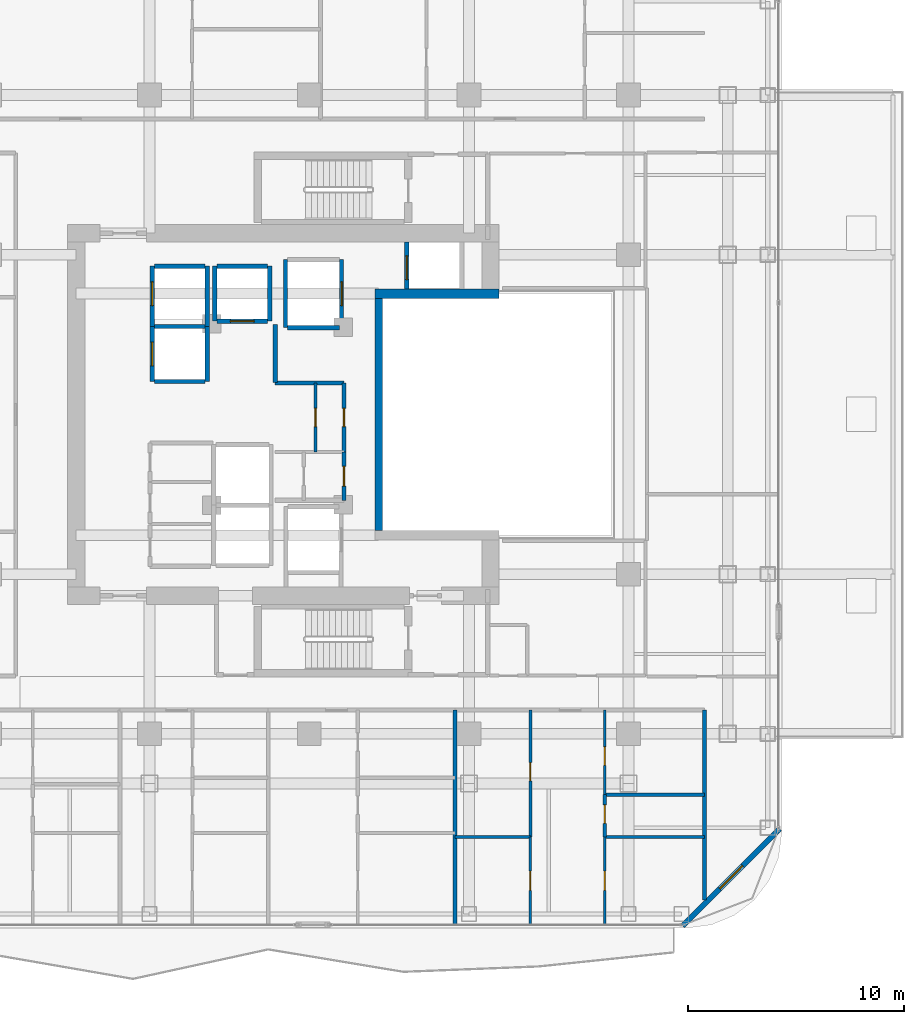
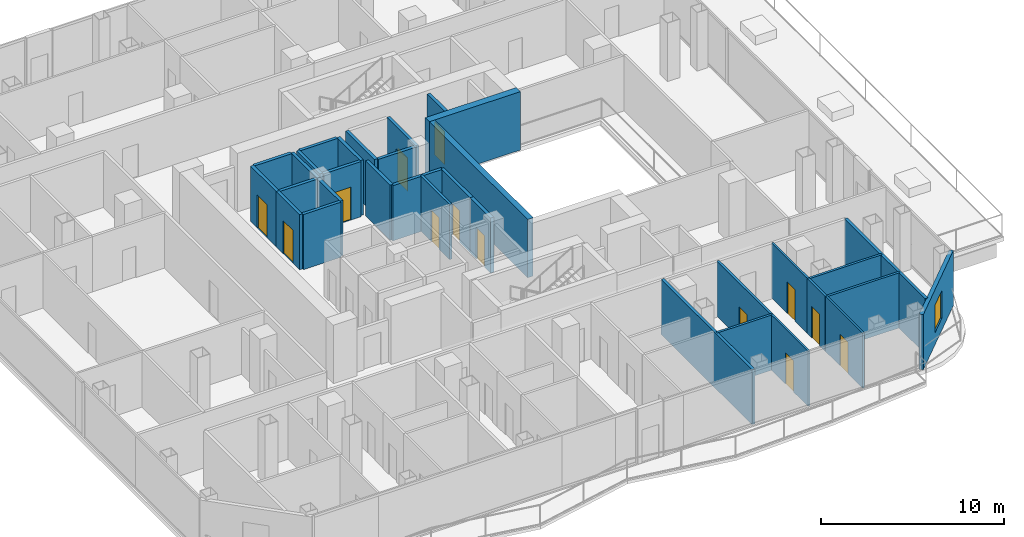
# One storey, part 21 of 27: 33 walls, 13 doors, 1 window, 14 openings.
"""IFC4 building model written with IfcOpenShell, lengths in metres."""

from ifc_helpers import new_model, si_unit, direction, frame, frame_2d, origin, place, context, subcontext, project, spatial, rectangle, extrude, material, layer, layer_set, type_object, element, fill, save


model = new_model("IFC4")

# Units and contexts
model_context = context("Model", 3, precision=1e-05, world=origin(), true_north=direction((0.0, 1.0)))
body_context = subcontext(model_context, "Body", "Model", "MODEL_VIEW")
ifc_project = project(units=[si_unit("LENGTHUNIT", "METRE"), si_unit("AREAUNIT", "SQUARE_METRE"), si_unit("VOLUMEUNIT", "CUBIC_METRE"), si_unit("PLANEANGLEUNIT", "RADIAN"), si_unit("MASSUNIT", "GRAM", prefix="KILO")], contexts=[model_context])

# Site, building, storey
site_placement = place(None, origin())
site = spatial("IfcSite", under=ifc_project, at=site_placement, CompositionType="ELEMENT")
building_placement = place(site_placement, origin())
building = spatial("IfcBuilding", under=site, at=building_placement, Name="Khorvyn Point Tower", CompositionType="ELEMENT")
storey_placement = place(building_placement, frame((0.0, 0.0, 168.0)))
storey = spatial("IfcBuildingStorey", under=building, at=storey_placement, Name="L41", CompositionType="ELEMENT", Elevation=168.0)

# Walls
ifc_material_1 = material(Name="Double acoustic gypsum on twin steel stud", Category="steel")
ifc_layer_1 = layer(ifc_material_1, 0.179931640625)
ifc_layer_set_1 = layer_set([ifc_layer_1], Name="Acoustic Double-Stud Apartment Demising Wall 180")
wall_type_1 = type_object("IfcWallType", Name="Acoustic Double-Stud Apartment Demising Wall 180", PredefinedType="PARTITIONING", material=ifc_layer_set_1)
wall_1_placement = place(storey_placement, frame((18.320068359375, -22.510009765625, 0.0), z_axis=(0.0, 0.0, 1.0), x_axis=(0.0, 1.0, 0.0)))
element("IfcWall", 1, at=wall_1_placement, inside=storey, type_object=wall_type_1, Name="Wall", PredefinedType="PARTITIONING", context=body_context, shape_type="SweptSolid", body=[
    extrude(rectangle(XDim=8.81005859375, YDim=0.179931640625, at=frame_2d((4.405029296875, 0.0))), origin(), (0.0, 0.0, 1.0), 3.679931640625),
])
wall_2_placement = place(storey_placement, frame((6.75390625, -23.6298828125, 0.0), z_axis=(0.0, 0.0, 1.0), x_axis=(0.0, 1.0, 0.0)))
element("IfcWall", 2, at=wall_2_placement, inside=storey, type_object=wall_type_1, Name="Wall", PredefinedType="PARTITIONING", context=body_context, shape_type="SweptSolid", body=[
    extrude(rectangle(XDim=9.929931640625, YDim=0.179931640625, at=frame_2d((4.96484375, 0.0))), origin(), (0.0, 0.0, 1.0), 3.679931640625),
])

# Wall, opening, window
ifc_material_2 = material(Name="Pale anodised aluminium rainscreen on steel stud", Category="steel")
ifc_layer_2 = layer(ifc_material_2, 0.239990234375)
ifc_layer_set_2 = layer_set([ifc_layer_2], Name="Anodised Aluminium Insulated Corner Spandrel Wall 240")
wall_type_2 = type_object("IfcWallType", Name="Anodised Aluminium Insulated Corner Spandrel Wall 240", PredefinedType="SOLIDWALL", material=ifc_layer_set_2)
wall_3_placement = place(storey_placement, frame((21.79248046875, -19.20751953125, 0.0), z_axis=(0.0, 0.0, 1.0), x_axis=(-0.707106781187, -0.707106781187, 0.0)))
wall_3 = element("IfcWall", 3, at=wall_3_placement, inside=storey, type_object=wall_type_2, Name="L41 Rounded Corner Wall SE", PredefinedType="SOLIDWALL", context=body_context, shape_type="SweptSolid", body=[
    extrude(rectangle(XDim=6.342529296875, YDim=0.239990234375, at=frame_2d((3.17138671875, 0.0))), origin(), (0.0, 0.0, 1.0), 3.679931640625),
])
opening_1_placement = place(wall_3_placement, frame((2.42138671875, 0.0, 0.800048828125)))
opening_1 = element("IfcOpeningElement", 4, at=opening_1_placement, cuts=wall_3, Name="Opening WN-1518", PredefinedType="OPENING", context=body_context, shape_type="SweptSolid", body=[
    extrude(rectangle(XDim=1.5, YDim=1.85009765625, at=frame_2d((0.75, 0.925048828125))), frame((0.0, 0.1298828125, 0.0), z_axis=(0.0, -1.0, 0.0), x_axis=(1.0, 0.0, 0.0)), (0.0, 0.0, 1.0), 0.260009765625),
])
ifc_material_3 = material(Name="Anodised aluminium 6063-T6 and laminated Low-E glass", Category="aluminium")
window_type = type_object("IfcWindowType", Name="Anodised Aluminium Rounded-Corner Panoramic Window 1500x1850", PartitioningType="SINGLE_PANEL", PredefinedType="WINDOW", material=ifc_material_3)
window_placement = place(opening_1_placement, origin())
window = element("IfcWindow", 5, at=window_placement, inside=storey, type_object=window_type, Name="L41 Corner Panoramic Window SE", OverallHeight=1.85009765625, OverallWidth=1.5, PartitioningType="SINGLE_PANEL", PredefinedType="WINDOW", context=body_context, shape_type="SweptSolid", body=[
    extrude(rectangle(XDim=1.5, YDim=1.85009765625, at=frame_2d((0.75, 0.925048828125))), frame((0.0, 0.030029296875, 0.0), z_axis=(0.0, -1.0, 0.0), x_axis=(1.0, 0.0, 0.0)), (0.0, 0.0, 1.0), 0.06005859375),
])
fill(opening_1, window)

# Wall
ifc_material_4 = material(Name="Concrete C40/50", Category="concrete")
ifc_layer_3 = layer(ifc_material_4, 0.449951171875)
ifc_layer_set_3 = layer_set([ifc_layer_3], Name="Concrete C40/50 Core Shear Wall 450")
wall_type_3 = type_object("IfcWallType", Name="Concrete C40/50 Core Shear Wall 450", PredefinedType="SHEAR", material=ifc_layer_set_3)
wall_4_placement = place(storey_placement, frame((3.044921875, 5.60009765625, 0.0), z_axis=(0.0, 0.0, 1.0), x_axis=(1.0, 0.0, 0.0)))
element("IfcWall", 6, at=wall_4_placement, inside=storey, type_object=wall_type_3, Name="Wall", PredefinedType="SHEAR", context=body_context, shape_type="SweptSolid", body=[
    extrude(rectangle(XDim=5.755126953125, YDim=0.449951171875, at=frame_2d((2.87744140625, 0.0))), origin(), (0.0, 0.0, 1.0), 3.89990234375),
])

# Wall, opening, door
ifc_layer_4 = layer(ifc_material_4, 0.199951171875)
ifc_layer_set_4 = layer_set([ifc_layer_4], Name="Concrete C40/50 Fire-Lobby Compartment Wall 200")
wall_type_4 = type_object("IfcWallType", Name="Concrete C40/50 Fire-Lobby Compartment Wall 200", PredefinedType="SOLIDWALL", material=ifc_layer_set_4)
wall_5_placement = place(storey_placement, frame((1.610107421875, -3.97998046875, 0.0), z_axis=(0.0, 0.0, 1.0), x_axis=(0.0, 1.0, 0.0)))
wall_5 = element("IfcWall", 7, at=wall_5_placement, inside=storey, type_object=wall_type_4, Name="Wall", PredefinedType="SOLIDWALL", context=body_context, shape_type="SweptSolid", body=[
    extrude(rectangle(XDim=2.240966796875, YDim=0.199951171875, at=frame_2d((1.12060546875, 0.0))), origin(), (0.0, 0.0, 1.0), 3.679931640625),
])
opening_2_placement = place(wall_5_placement, frame((0.660400390625, 0.0, 0.0)))
opening_2 = element("IfcOpeningElement", 8, at=opening_2_placement, cuts=wall_5, Name="Opening ID-RS60", PredefinedType="OPENING", context=body_context, shape_type="SweptSolid", body=[
    extrude(rectangle(XDim=0.919921875, YDim=2.10009765625, at=frame_2d((0.4599609375, 1.050048828125))), frame((0.0, 0.10986328125, 0.0), z_axis=(0.0, -1.0, 0.0), x_axis=(1.0, 0.0, 0.0)), (0.0, 0.0, 1.0), 0.219970703125),
])
ifc_material_5 = material(Name="Galvanised powder-coated steel", Category="steel")
door_type_1 = type_object("IfcDoorType", Name="Fire-Rated Riser and Store Steel Door 920x2100", OperationType="NOTDEFINED", PredefinedType="DOOR", material=ifc_material_5)
door_1_placement = place(opening_2_placement, origin())
door_1 = element("IfcDoor", 9, at=door_1_placement, inside=storey, type_object=door_type_1, Name="Door", OperationType="SINGLE_SWING_LEFT", OverallHeight=2.10009765625, OverallWidth=0.919921875, PredefinedType="DOOR", context=body_context, shape_type="SweptSolid", body=[
    extrude(rectangle(XDim=0.919921875, YDim=2.10009765625, at=frame_2d((0.4599609375, 1.050048828125))), frame((0.0, 0.02490234375, 0.0), z_axis=(0.0, -1.0, 0.0), x_axis=(1.0, 0.0, 0.0)), (0.0, 0.0, 1.0), 0.050048828125),
])
fill(opening_2, door_1)

wall_6_placement = place(storey_placement, frame((1.610107421875, -1.739013671875, 0.0), z_axis=(0.0, 0.0, 1.0), x_axis=(0.0, 1.0, 0.0)))
wall_6 = element("IfcWall", 10, at=wall_6_placement, inside=storey, type_object=wall_type_4, Name="Wall", PredefinedType="SOLIDWALL", context=body_context, shape_type="SweptSolid", body=[
    extrude(rectangle(XDim=3.198974609375, YDim=0.199951171875, at=frame_2d((1.599609375, 0.0))), origin(), (0.0, 0.0, 1.0), 3.679931640625),
])
opening_3_placement = place(wall_6_placement, frame((1.174560546875, 0.0, 0.0)))
opening_3 = element("IfcOpeningElement", 11, at=opening_3_placement, cuts=wall_6, Name="Opening ID-WC85", PredefinedType="OPENING", context=body_context, shape_type="SweptSolid", body=[
    extrude(rectangle(XDim=0.85009765625, YDim=2.10009765625, at=frame_2d((0.425048828125, 1.050048828125))), frame((0.0, 0.10986328125, 0.0), z_axis=(0.0, -1.0, 0.0), x_axis=(1.0, 0.0, 0.0)), (0.0, 0.0, 1.0), 0.219970703125),
])
ifc_material_6 = material(Name="High-pressure laminate on moisture-resistant core", Category="wood")
door_type_2 = type_object("IfcDoorType", Name="Moisture-Resistant Accessible Washroom Door 850x2100", OperationType="NOTDEFINED", PredefinedType="DOOR", material=ifc_material_6)
door_2_placement = place(opening_3_placement, origin())
door_2 = element("IfcDoor", 12, at=door_2_placement, inside=storey, type_object=door_type_2, Name="Door", OperationType="SINGLE_SWING_RIGHT", OverallHeight=2.10009765625, OverallWidth=0.85009765625, PredefinedType="DOOR", context=body_context, shape_type="SweptSolid", body=[
    extrude(rectangle(XDim=0.85009765625, YDim=2.10009765625, at=frame_2d((0.425048828125, 1.050048828125))), frame((0.0, 0.02490234375, 0.0), z_axis=(0.0, -1.0, 0.0), x_axis=(1.0, 0.0, 0.0)), (0.0, 0.0, 1.0), 0.050048828125),
])
fill(opening_3, door_2)

# Walls
wall_7_placement = place(storey_placement, frame((-1.580078125, 1.47998046875, 0.0), z_axis=(0.0, 0.0, 1.0), x_axis=(0.0, 1.0, 0.0)))
element("IfcWall", 13, at=wall_7_placement, inside=storey, type_object=wall_type_4, Name="Wall", PredefinedType="SOLIDWALL", context=body_context, shape_type="SweptSolid", body=[
    extrude(rectangle(XDim=2.699951171875, YDim=0.199951171875, at=frame_2d((1.35009765625, 0.0))), origin(), (0.0, 0.0, 1.0), 3.679931640625),
])
wall_8_placement = place(storey_placement, frame((-1.580078125, 1.4599609375, 0.0), z_axis=(0.0, 0.0, 1.0), x_axis=(1.0, 0.0, 0.0)))
element("IfcWall", 14, at=wall_8_placement, inside=storey, type_object=wall_type_4, Name="Wall", PredefinedType="SOLIDWALL", context=body_context, shape_type="SweptSolid", body=[
    extrude(rectangle(XDim=3.190185546875, YDim=0.199951171875, at=frame_2d((1.59521484375, 0.0))), origin(), (0.0, 0.0, 1.0), 3.679931640625),
])
ifc_layer_5 = layer(ifc_material_4, 0.35009765625)
ifc_layer_set_5 = layer_set([ifc_layer_5], Name="Concrete C40/50 Stair Shaft Structural Wall 350")
wall_type_5 = type_object("IfcWallType", Name="Concrete C40/50 Stair Shaft Structural Wall 350", PredefinedType="SHEAR", material=ifc_layer_set_5)
wall_9_placement = place(storey_placement, frame((3.219970703125, -5.375, 0.0), z_axis=(0.0, 0.0, 1.0), x_axis=(0.0, 1.0, 0.0)))
element("IfcWall", 15, at=wall_9_placement, inside=storey, type_object=wall_type_5, Name="Wall", PredefinedType="SHEAR", context=body_context, shape_type="SweptSolid", body=[
    extrude(rectangle(XDim=10.75, YDim=0.35009765625, at=frame_2d((5.375, 0.0))), origin(), (0.0, 0.0, 1.0), 3.89990234375),
])

# Wall, opening, door
ifc_layer_6 = layer(ifc_material_4, 0.199951171875)
ifc_layer_set_6 = layer_set([ifc_layer_6], Name="Concrete C40/50 Structural Hoistway and Stair Shaft Wall 200")
wall_type_6 = type_object("IfcWallType", Name="Concrete C40/50 Structural Hoistway and Stair Shaft Wall 200", PredefinedType="SHEAR", material=ifc_layer_set_6)
wall_10_placement = place(storey_placement, frame((-7.27490234375, 1.52490234375, 0.0), z_axis=(0.0, 0.0, 1.0), x_axis=(0.0, 1.0, 0.0)))
wall_10 = element("IfcWall", 16, at=wall_10_placement, inside=storey, type_object=wall_type_6, Name="Wall", PredefinedType="SHEAR", context=body_context, shape_type="SweptSolid", body=[
    extrude(rectangle(XDim=2.550048828125, YDim=0.199951171875, at=frame_2d((1.27490234375, 0.0))), origin(), (0.0, 0.0, 1.0), 3.679931640625),
])
opening_4_placement = place(wall_10_placement, frame((0.72509765625, 0.0, 0.0)))
opening_4 = element("IfcOpeningElement", 17, at=opening_4_placement, cuts=wall_10, Name="Opening LD-1122", PredefinedType="OPENING", context=body_context, shape_type="SweptSolid", body=[
    extrude(rectangle(XDim=1.10009765625, YDim=2.199951171875, at=frame_2d((0.550048828125, 1.10009765625))), frame((0.0, 0.10986328125, 0.0), z_axis=(0.0, -1.0, 0.0), x_axis=(1.0, 0.0, 0.0)), (0.0, 0.0, 1.0), 0.219970703125),
])
ifc_material_7 = material(Name="Stainless steel 1.4301", Category="steel")
door_type_3 = type_object("IfcDoorType", Name="Stainless Steel Automatic Sliding Lift Landing Door 1100x2200", OperationType="SLIDING_TO_LEFT", PredefinedType="DOOR", material=ifc_material_7)
door_3_placement = place(opening_4_placement, origin())
door_3 = element("IfcDoor", 18, at=door_3_placement, inside=storey, type_object=door_type_3, Name="L41 RM-01 Sliding Lift Landing Door", OperationType="SLIDING_TO_LEFT", OverallHeight=2.199951171875, OverallWidth=1.10009765625, PredefinedType="DOOR", context=body_context, shape_type="SweptSolid", body=[
    extrude(rectangle(XDim=1.10009765625, YDim=2.199951171875, at=frame_2d((0.550048828125, 1.10009765625))), frame((0.0, 0.02490234375, 0.0), z_axis=(0.0, -1.0, 0.0), x_axis=(1.0, 0.0, 0.0)), (0.0, 0.0, 1.0), 0.050048828125),
])
fill(opening_4, door_3)

# Walls
wall_11_placement = place(storey_placement, frame((-4.72509765625, 1.52490234375, 0.0), z_axis=(0.0, 0.0, 1.0), x_axis=(0.0, 1.0, 0.0)))
element("IfcWall", 19, at=wall_11_placement, inside=storey, type_object=wall_type_6, Name="Wall", PredefinedType="SHEAR", context=body_context, shape_type="SweptSolid", body=[
    extrude(rectangle(XDim=2.550048828125, YDim=0.199951171875, at=frame_2d((1.27490234375, 0.0))), origin(), (0.0, 0.0, 1.0), 3.679931640625),
])
for number, where, z_axis, x_axis, name in (
    (20, (-7.175048828125, 1.52490234375, 0.0), (0.0, 0.0, 1.0), (1.0, 0.0, 0.0), "Wall"),
    (21, (-7.175048828125, 4.074951171875, 0.0), (0.0, 0.0, 1.0), (1.0, 0.0, 0.0), "Wall"),
):
    element("IfcWall", number, at=place(storey_placement, frame(where, z_axis=z_axis, x_axis=x_axis)), inside=storey, type_object=wall_type_6, Name=name, PredefinedType="SHEAR", context=body_context, shape_type="SweptSolid", body=[
        extrude(rectangle(XDim=2.35009765625, YDim=0.199951171875, at=frame_2d((1.175048828125, 0.0))), origin(), (0.0, 0.0, 1.0), 3.679931640625),
    ])

# Wall, opening, door
wall_12_placement = place(storey_placement, frame((-7.27490234375, 4.074951171875, 0.0), z_axis=(0.0, 0.0, 1.0), x_axis=(0.0, 1.0, 0.0)))
wall_12 = element("IfcWall", 22, at=wall_12_placement, inside=storey, type_object=wall_type_6, Name="Wall", PredefinedType="SHEAR", context=body_context, shape_type="SweptSolid", body=[
    extrude(rectangle(XDim=2.800048828125, YDim=0.199951171875, at=frame_2d((1.39990234375, 0.0))), origin(), (0.0, 0.0, 1.0), 3.679931640625),
])
opening_5_placement = place(wall_12_placement, frame((0.97509765625, 0.0, 0.0)))
opening_5 = element("IfcOpeningElement", 23, at=opening_5_placement, cuts=wall_12, Name="Opening LD-1122", PredefinedType="OPENING", context=body_context, shape_type="SweptSolid", body=[
    extrude(rectangle(XDim=1.10009765625, YDim=2.199951171875, at=frame_2d((0.550048828125, 1.10009765625))), frame((0.0, 0.10986328125, 0.0), z_axis=(0.0, -1.0, 0.0), x_axis=(1.0, 0.0, 0.0)), (0.0, 0.0, 1.0), 0.219970703125),
])
door_4_placement = place(opening_5_placement, origin())
door_4 = element("IfcDoor", 24, at=door_4_placement, inside=storey, type_object=door_type_3, Name="L41 RM-02 Sliding Lift Landing Door", OperationType="SLIDING_TO_LEFT", OverallHeight=2.199951171875, OverallWidth=1.10009765625, PredefinedType="DOOR", context=body_context, shape_type="SweptSolid", body=[
    extrude(rectangle(XDim=1.10009765625, YDim=2.199951171875, at=frame_2d((0.550048828125, 1.10009765625))), frame((0.0, 0.02490234375, 0.0), z_axis=(0.0, -1.0, 0.0), x_axis=(1.0, 0.0, 0.0)), (0.0, 0.0, 1.0), 0.050048828125),
])
fill(opening_5, door_4)

# Walls
wall_13_placement = place(storey_placement, frame((-4.72509765625, 4.074951171875, 0.0), z_axis=(0.0, 0.0, 1.0), x_axis=(0.0, 1.0, 0.0)))
element("IfcWall", 25, at=wall_13_placement, inside=storey, type_object=wall_type_6, Name="Wall", PredefinedType="SHEAR", context=body_context, shape_type="SweptSolid", body=[
    extrude(rectangle(XDim=2.800048828125, YDim=0.199951171875, at=frame_2d((1.39990234375, 0.0))), origin(), (0.0, 0.0, 1.0), 3.679931640625),
])
wall_14_placement = place(storey_placement, frame((-7.175048828125, 6.875, 0.0), z_axis=(0.0, 0.0, 1.0), x_axis=(1.0, 0.0, 0.0)))
element("IfcWall", 26, at=wall_14_placement, inside=storey, type_object=wall_type_6, Name="Wall", PredefinedType="SHEAR", context=body_context, shape_type="SweptSolid", body=[
    extrude(rectangle(XDim=2.35009765625, YDim=0.199951171875, at=frame_2d((1.175048828125, 0.0))), origin(), (0.0, 0.0, 1.0), 3.679931640625),
])
for number, where, z_axis, x_axis, name in (
    (27, (-4.375, 4.324951171875, 0.0), (0.0, 0.0, 1.0), (0.0, 1.0, 0.0), "Wall"),
    (28, (-1.824951171875, 4.324951171875, 0.0), (0.0, 0.0, 1.0), (0.0, 1.0, 0.0), "Wall"),
):
    element("IfcWall", number, at=place(storey_placement, frame(where, z_axis=z_axis, x_axis=x_axis)), inside=storey, type_object=wall_type_6, Name=name, PredefinedType="SHEAR", context=body_context, shape_type="SweptSolid", body=[
        extrude(rectangle(XDim=2.550048828125, YDim=0.199951171875, at=frame_2d((1.27490234375, 0.0))), origin(), (0.0, 0.0, 1.0), 3.679931640625),
    ])

# Wall, opening, door
wall_15_placement = place(storey_placement, frame((-4.27490234375, 4.324951171875, 0.0), z_axis=(0.0, 0.0, 1.0), x_axis=(1.0, 0.0, 0.0)))
wall_15 = element("IfcWall", 29, at=wall_15_placement, inside=storey, type_object=wall_type_6, Name="Wall", PredefinedType="SHEAR", context=body_context, shape_type="SweptSolid", body=[
    extrude(rectangle(XDim=2.349853515625, YDim=0.199951171875, at=frame_2d((1.1748046875, 0.0))), origin(), (0.0, 0.0, 1.0), 3.679931640625),
])
opening_6_placement = place(wall_15_placement, frame((0.625, 0.0, 0.0)))
opening_6 = element("IfcOpeningElement", 30, at=opening_6_placement, cuts=wall_15, Name="Opening LD-1122", PredefinedType="OPENING", context=body_context, shape_type="SweptSolid", body=[
    extrude(rectangle(XDim=1.10009765625, YDim=2.199951171875, at=frame_2d((0.550048828125, 1.10009765625))), frame((0.0, 0.10986328125, 0.0), z_axis=(0.0, -1.0, 0.0), x_axis=(1.0, 0.0, 0.0)), (0.0, 0.0, 1.0), 0.219970703125),
])
door_5_placement = place(opening_6_placement, origin())
door_5 = element("IfcDoor", 31, at=door_5_placement, inside=storey, type_object=door_type_3, Name="L41 RM-03 Sliding Lift Landing Door", OperationType="SLIDING_TO_LEFT", OverallHeight=2.199951171875, OverallWidth=1.10009765625, PredefinedType="DOOR", context=body_context, shape_type="SweptSolid", body=[
    extrude(rectangle(XDim=1.10009765625, YDim=2.199951171875, at=frame_2d((0.550048828125, 1.10009765625))), frame((0.0, 0.02490234375, 0.0), z_axis=(0.0, -1.0, 0.0), x_axis=(1.0, 0.0, 0.0)), (0.0, 0.0, 1.0), 0.050048828125),
])
fill(opening_6, door_5)

# Walls
wall_16_placement = place(storey_placement, frame((-4.27490234375, 6.875, 0.0), z_axis=(0.0, 0.0, 1.0), x_axis=(1.0, 0.0, 0.0)))
element("IfcWall", 32, at=wall_16_placement, inside=storey, type_object=wall_type_6, Name="Wall", PredefinedType="SHEAR", context=body_context, shape_type="SweptSolid", body=[
    extrude(rectangle(XDim=2.349853515625, YDim=0.199951171875, at=frame_2d((1.1748046875, 0.0))), origin(), (0.0, 0.0, 1.0), 3.679931640625),
])
wall_17_placement = place(storey_placement, frame((-1.10009765625, 4.02490234375, 0.0), z_axis=(0.0, 0.0, 1.0), x_axis=(0.0, 1.0, 0.0)))
element("IfcWall", 33, at=wall_17_placement, inside=storey, type_object=wall_type_6, Name="Wall", PredefinedType="SHEAR", context=body_context, shape_type="SweptSolid", body=[
    extrude(rectangle(XDim=3.150146484375, YDim=0.199951171875, at=frame_2d((1.5751953125, 0.0))), origin(), (0.0, 0.0, 1.0), 3.679931640625),
])

# Wall, opening, door
wall_18_placement = place(storey_placement, frame((1.5, 4.02490234375, 0.0), z_axis=(0.0, 0.0, 1.0), x_axis=(0.0, 1.0, 0.0)))
wall_18 = element("IfcWall", 34, at=wall_18_placement, inside=storey, type_object=wall_type_6, Name="Wall", PredefinedType="SHEAR", context=body_context, shape_type="SweptSolid", body=[
    extrude(rectangle(XDim=3.150146484375, YDim=0.199951171875, at=frame_2d((1.5751953125, 0.0))), origin(), (0.0, 0.0, 1.0), 3.679931640625),
])
opening_7_placement = place(wall_18_placement, frame((1.02490234375, 0.0, 0.0)))
opening_7 = element("IfcOpeningElement", 35, at=opening_7_placement, cuts=wall_18, Name="Opening LD-1122", PredefinedType="OPENING", context=body_context, shape_type="SweptSolid", body=[
    extrude(rectangle(XDim=1.10009765625, YDim=2.199951171875, at=frame_2d((0.550048828125, 1.10009765625))), frame((0.0, 0.10986328125, 0.0), z_axis=(0.0, -1.0, 0.0), x_axis=(1.0, 0.0, 0.0)), (0.0, 0.0, 1.0), 0.219970703125),
])
door_6_placement = place(opening_7_placement, origin())
door_6 = element("IfcDoor", 36, at=door_6_placement, inside=storey, type_object=door_type_3, Name="L41 SV-01 Sliding Lift Landing Door", OperationType="SLIDING_TO_LEFT", OverallHeight=2.199951171875, OverallWidth=1.10009765625, PredefinedType="DOOR", context=body_context, shape_type="SweptSolid", body=[
    extrude(rectangle(XDim=1.10009765625, YDim=2.199951171875, at=frame_2d((0.550048828125, 1.10009765625))), frame((0.0, 0.02490234375, 0.0), z_axis=(0.0, -1.0, 0.0), x_axis=(1.0, 0.0, 0.0)), (0.0, 0.0, 1.0), 0.050048828125),
])
fill(opening_7, door_6)

# Wall
wall_19_placement = place(storey_placement, frame((-1.0, 4.02490234375, 0.0), z_axis=(0.0, 0.0, 1.0), x_axis=(1.0, 0.0, 0.0)))
element("IfcWall", 37, at=wall_19_placement, inside=storey, type_object=wall_type_6, Name="Wall", PredefinedType="SHEAR", context=body_context, shape_type="SweptSolid", body=[
    extrude(rectangle(XDim=2.39990234375, YDim=0.199951171875, at=frame_2d((1.199951171875, 0.0))), origin(), (0.0, 0.0, 1.0), 3.679931640625),
])

# Wall, opening, door
wall_20_placement = place(storey_placement, frame((4.52490234375, 5.824951171875, 0.0), z_axis=(0.0, 0.0, 1.0), x_axis=(0.0, 1.0, 0.0)))
wall_20 = element("IfcWall", 38, at=wall_20_placement, inside=storey, type_object=wall_type_6, Name="Wall", PredefinedType="SHEAR", context=body_context, shape_type="SweptSolid", body=[
    extrude(rectangle(XDim=2.175048828125, YDim=0.199951171875, at=frame_2d((1.08740234375, 0.0))), origin(), (0.0, 0.0, 1.0), 3.679931640625),
])
opening_8_placement = place(wall_20_placement, frame((0.425048828125, 0.0, 0.0)))
opening_8 = element("IfcOpeningElement", 39, at=opening_8_placement, cuts=wall_20, Name="Opening LD-1122", PredefinedType="OPENING", context=body_context, shape_type="SweptSolid", body=[
    extrude(rectangle(XDim=1.10009765625, YDim=2.199951171875, at=frame_2d((0.550048828125, 1.10009765625))), frame((0.0, 0.10986328125, 0.0), z_axis=(0.0, -1.0, 0.0), x_axis=(1.0, 0.0, 0.0)), (0.0, 0.0, 1.0), 0.219970703125),
])
door_7_placement = place(opening_8_placement, origin())
door_7 = element("IfcDoor", 40, at=door_7_placement, inside=storey, type_object=door_type_3, Name="L41 FF-02 Sliding Lift Landing Door", OperationType="SLIDING_TO_LEFT", OverallHeight=2.199951171875, OverallWidth=1.10009765625, PredefinedType="DOOR", context=body_context, shape_type="SweptSolid", body=[
    extrude(rectangle(XDim=1.10009765625, YDim=2.199951171875, at=frame_2d((0.550048828125, 1.10009765625))), frame((0.0, 0.02490234375, 0.0), z_axis=(0.0, -1.0, 0.0), x_axis=(1.0, 0.0, 0.0)), (0.0, 0.0, 1.0), 0.050048828125),
])
fill(opening_8, door_7)

ifc_material_8 = material(Name="Gypsum plasterboard on steel stud", Category="steel")
ifc_layer_7 = layer(ifc_material_8, 0.1201171875)
ifc_layer_set_7 = layer_set([ifc_layer_7], Name="Gypsum Acoustic Stud Room Partition Wall 120")
wall_type_7 = type_object("IfcWallType", Name="Gypsum Acoustic Stud Room Partition Wall 120", PredefinedType="PARTITIONING", material=ifc_layer_set_7)
wall_21_placement = place(storey_placement, frame((10.25, -23.6298828125, 0.0), z_axis=(0.0, 0.0, 1.0), x_axis=(0.0, 1.0, 0.0)))
wall_21 = element("IfcWall", 41, at=wall_21_placement, inside=storey, type_object=wall_type_7, Name="Wall", PredefinedType="PARTITIONING", context=body_context, shape_type="SweptSolid", body=[
    extrude(rectangle(XDim=4.0458984375, YDim=0.1201171875, at=frame_2d((2.02294921875, 0.0))), origin(), (0.0, 0.0, 1.0), 3.679931640625),
])
opening_9_placement = place(wall_21_placement, frame((1.572998046875, 0.0, 0.0)))
opening_9 = element("IfcOpeningElement", 42, at=opening_9_placement, cuts=wall_21, Name="Opening ID-RM90", PredefinedType="OPENING", context=body_context, shape_type="SweptSolid", body=[
    extrude(rectangle(XDim=0.89990234375, YDim=2.10009765625, at=frame_2d((0.449951171875, 1.050048828125))), frame((0.0, 0.070068359375, 0.0), z_axis=(0.0, -1.0, 0.0), x_axis=(1.0, 0.0, 0.0)), (0.0, 0.0, 1.0), 0.14013671875),
])
ifc_material_9 = material(Name="Engineered oak veneer timber", Category="wood")
door_type_4 = type_object("IfcDoorType", Name="Flush Engineered Timber Room Door 900x2100", OperationType="NOTDEFINED", PredefinedType="DOOR", material=ifc_material_9)
door_8_placement = place(opening_9_placement, origin())
door_8 = element("IfcDoor", 43, at=door_8_placement, inside=storey, type_object=door_type_4, Name="Door", OperationType="SINGLE_SWING_RIGHT", OverallHeight=2.10009765625, OverallWidth=0.89990234375, PredefinedType="DOOR", context=body_context, shape_type="SweptSolid", body=[
    extrude(rectangle(XDim=0.89990234375, YDim=2.10009765625, at=frame_2d((0.449951171875, 1.050048828125))), frame((0.0, 0.02490234375, 0.0), z_axis=(0.0, -1.0, 0.0), x_axis=(1.0, 0.0, 0.0)), (0.0, 0.0, 1.0), 0.050048828125),
])
fill(opening_9, door_8)

wall_22_placement = place(storey_placement, frame((13.694091796875, -17.618896484375, 0.0), z_axis=(0.0, 0.0, 1.0), x_axis=(0.0, 1.0, 0.0)))
wall_22 = element("IfcWall", 44, at=wall_22_placement, inside=storey, type_object=wall_type_7, Name="Wall", PredefinedType="PARTITIONING", context=body_context, shape_type="SweptSolid", body=[
    extrude(rectangle(XDim=3.9189453125, YDim=0.1201171875, at=frame_2d((1.95947265625, 0.0))), origin(), (0.0, 0.0, 1.0), 3.679931640625),
])
opening_10_placement = place(wall_22_placement, frame((1.36279296875, 0.0, 0.0)))
opening_10 = element("IfcOpeningElement", 45, at=opening_10_placement, cuts=wall_22, Name="Opening ID-WC85", PredefinedType="OPENING", context=body_context, shape_type="SweptSolid", body=[
    extrude(rectangle(XDim=0.85009765625, YDim=2.10009765625, at=frame_2d((0.425048828125, 1.050048828125))), frame((0.0, 0.070068359375, 0.0), z_axis=(0.0, -1.0, 0.0), x_axis=(1.0, 0.0, 0.0)), (0.0, 0.0, 1.0), 0.14013671875),
])
door_9_placement = place(opening_10_placement, origin())
door_9 = element("IfcDoor", 46, at=door_9_placement, inside=storey, type_object=door_type_2, Name="Door", OperationType="SINGLE_SWING_RIGHT", OverallHeight=2.10009765625, OverallWidth=0.85009765625, PredefinedType="DOOR", context=body_context, shape_type="SweptSolid", body=[
    extrude(rectangle(XDim=0.85009765625, YDim=2.10009765625, at=frame_2d((0.425048828125, 1.050048828125))), frame((0.0, 0.02490234375, 0.0), z_axis=(0.0, -1.0, 0.0), x_axis=(1.0, 0.0, 0.0)), (0.0, 0.0, 1.0), 0.050048828125),
])
fill(opening_10, door_9)

wall_23_placement = place(storey_placement, frame((13.694091796875, -23.6298828125, 0.0), z_axis=(0.0, 0.0, 1.0), x_axis=(0.0, 1.0, 0.0)))
wall_23 = element("IfcWall", 47, at=wall_23_placement, inside=storey, type_object=wall_type_7, Name="Wall", PredefinedType="PARTITIONING", context=body_context, shape_type="SweptSolid", body=[
    extrude(rectangle(XDim=4.0458984375, YDim=0.1201171875, at=frame_2d((2.02294921875, 0.0))), origin(), (0.0, 0.0, 1.0), 3.679931640625),
])
opening_11_placement = place(wall_23_placement, frame((1.572998046875, 0.0, 0.0)))
opening_11 = element("IfcOpeningElement", 48, at=opening_11_placement, cuts=wall_23, Name="Opening ID-RM90", PredefinedType="OPENING", context=body_context, shape_type="SweptSolid", body=[
    extrude(rectangle(XDim=0.89990234375, YDim=2.10009765625, at=frame_2d((0.449951171875, 1.050048828125))), frame((0.0, 0.070068359375, 0.0), z_axis=(0.0, -1.0, 0.0), x_axis=(1.0, 0.0, 0.0)), (0.0, 0.0, 1.0), 0.14013671875),
])
door_10_placement = place(opening_11_placement, origin())
door_10 = element("IfcDoor", 49, at=door_10_placement, inside=storey, type_object=door_type_4, Name="Door", OperationType="SINGLE_SWING_LEFT", OverallHeight=2.10009765625, OverallWidth=0.89990234375, PredefinedType="DOOR", context=body_context, shape_type="SweptSolid", body=[
    extrude(rectangle(XDim=0.89990234375, YDim=2.10009765625, at=frame_2d((0.449951171875, 1.050048828125))), frame((0.0, 0.02490234375, 0.0), z_axis=(0.0, -1.0, 0.0), x_axis=(1.0, 0.0, 0.0)), (0.0, 0.0, 1.0), 0.050048828125),
])
fill(opening_11, door_10)

ifc_material_10 = material(Name="Moisture-resistant gypsum and cement board", Category="gypsum")
ifc_layer_8 = layer(ifc_material_10, 0.14990234375)
ifc_layer_set_8 = layer_set([ifc_layer_8], Name="Moisture-Resistant Wet-Room Partition Wall 150")
wall_type_8 = type_object("IfcWallType", Name="Moisture-Resistant Wet-Room Partition Wall 150", PredefinedType="PARTITIONING", material=ifc_layer_set_8)
wall_24_placement = place(storey_placement, frame((0.2900390625, -1.739013671875, 0.0), z_axis=(0.0, 0.0, 1.0), x_axis=(0.0, 1.0, 0.0)))
wall_24 = element("IfcWall", 50, at=wall_24_placement, inside=storey, type_object=wall_type_8, Name="Wall", PredefinedType="PARTITIONING", context=body_context, shape_type="SweptSolid", body=[
    extrude(rectangle(XDim=3.198974609375, YDim=0.14990234375, at=frame_2d((1.599609375, 0.0))), origin(), (0.0, 0.0, 1.0), 3.679931640625),
])
opening_12_placement = place(wall_24_placement, frame((1.174560546875, 0.0, 0.0)))
opening_12 = element("IfcOpeningElement", 51, at=opening_12_placement, cuts=wall_24, Name="Opening ID-WC85", PredefinedType="OPENING", context=body_context, shape_type="SweptSolid", body=[
    extrude(rectangle(XDim=0.85009765625, YDim=2.10009765625, at=frame_2d((0.425048828125, 1.050048828125))), frame((0.0, 0.0849609375, 0.0), z_axis=(0.0, -1.0, 0.0), x_axis=(1.0, 0.0, 0.0)), (0.0, 0.0, 1.0), 0.169921875),
])
door_11_placement = place(opening_12_placement, origin())
door_11 = element("IfcDoor", 52, at=door_11_placement, inside=storey, type_object=door_type_2, Name="Door", OperationType="SINGLE_SWING_RIGHT", OverallHeight=2.10009765625, OverallWidth=0.85009765625, PredefinedType="DOOR", context=body_context, shape_type="SweptSolid", body=[
    extrude(rectangle(XDim=0.85009765625, YDim=2.10009765625, at=frame_2d((0.425048828125, 1.050048828125))), frame((0.0, 0.02490234375, 0.0), z_axis=(0.0, -1.0, 0.0), x_axis=(1.0, 0.0, 0.0)), (0.0, 0.0, 1.0), 0.050048828125),
])
fill(opening_12, door_11)

wall_25_placement = place(storey_placement, frame((10.25, -19.583984375, 0.0), z_axis=(0.0, 0.0, 1.0), x_axis=(0.0, 1.0, 0.0)))
wall_25 = element("IfcWall", 53, at=wall_25_placement, inside=storey, type_object=wall_type_8, Name="Wall", PredefinedType="PARTITIONING", context=body_context, shape_type="SweptSolid", body=[
    extrude(rectangle(XDim=5.884033203125, YDim=0.14990234375, at=frame_2d((2.94189453125, 0.0))), origin(), (0.0, 0.0, 1.0), 3.679931640625),
])
opening_13_placement = place(wall_25_placement, frame((2.604248046875, 0.0, 0.0)))
opening_13 = element("IfcOpeningElement", 54, at=opening_13_placement, cuts=wall_25, Name="Opening ID-WC85", PredefinedType="OPENING", context=body_context, shape_type="SweptSolid", body=[
    extrude(rectangle(XDim=0.85009765625, YDim=2.10009765625, at=frame_2d((0.425048828125, 1.050048828125))), frame((0.0, 0.0849609375, 0.0), z_axis=(0.0, -1.0, 0.0), x_axis=(1.0, 0.0, 0.0)), (0.0, 0.0, 1.0), 0.169921875),
])
door_12_placement = place(opening_13_placement, origin())
door_12 = element("IfcDoor", 55, at=door_12_placement, inside=storey, type_object=door_type_2, Name="Door", OperationType="SINGLE_SWING_LEFT", OverallHeight=2.10009765625, OverallWidth=0.85009765625, PredefinedType="DOOR", context=body_context, shape_type="SweptSolid", body=[
    extrude(rectangle(XDim=0.85009765625, YDim=2.10009765625, at=frame_2d((0.425048828125, 1.050048828125))), frame((0.0, 0.02490234375, 0.0), z_axis=(0.0, -1.0, 0.0), x_axis=(1.0, 0.0, 0.0)), (0.0, 0.0, 1.0), 0.050048828125),
])
fill(opening_13, door_12)

wall_26_placement = place(storey_placement, frame((13.694091796875, -19.583984375, 0.0), z_axis=(0.0, 0.0, 1.0), x_axis=(0.0, 1.0, 0.0)))
wall_26 = element("IfcWall", 56, at=wall_26_placement, inside=storey, type_object=wall_type_8, Name="Wall", PredefinedType="PARTITIONING", context=body_context, shape_type="SweptSolid", body=[
    extrude(rectangle(XDim=1.965087890625, YDim=0.14990234375, at=frame_2d((0.982421875, 0.0))), origin(), (0.0, 0.0, 1.0), 3.679931640625),
])
opening_14_placement = place(wall_26_placement, frame((0.636962890625, 0.0, 0.0)))
opening_14 = element("IfcOpeningElement", 57, at=opening_14_placement, cuts=wall_26, Name="Opening ID-WC85", PredefinedType="OPENING", context=body_context, shape_type="SweptSolid", body=[
    extrude(rectangle(XDim=0.85009765625, YDim=2.10009765625, at=frame_2d((0.425048828125, 1.050048828125))), frame((0.0, 0.0849609375, 0.0), z_axis=(0.0, -1.0, 0.0), x_axis=(1.0, 0.0, 0.0)), (0.0, 0.0, 1.0), 0.169921875),
])
door_13_placement = place(opening_14_placement, origin())
door_13 = element("IfcDoor", 58, at=door_13_placement, inside=storey, type_object=door_type_2, Name="Door", OperationType="SINGLE_SWING_LEFT", OverallHeight=2.10009765625, OverallWidth=0.85009765625, PredefinedType="DOOR", context=body_context, shape_type="SweptSolid", body=[
    extrude(rectangle(XDim=0.85009765625, YDim=2.10009765625, at=frame_2d((0.425048828125, 1.050048828125))), frame((0.0, 0.02490234375, 0.0), z_axis=(0.0, -1.0, 0.0), x_axis=(1.0, 0.0, 0.0)), (0.0, 0.0, 1.0), 0.050048828125),
])
fill(opening_14, door_13)

# Walls
wall_27_placement = place(storey_placement, frame((6.75390625, -19.583984375, 0.0), z_axis=(0.0, 0.0, 1.0), x_axis=(1.0, 0.0, 0.0)))
element("IfcWall", 59, at=wall_27_placement, inside=storey, type_object=wall_type_8, Name="Wall", PredefinedType="PARTITIONING", context=body_context, shape_type="SweptSolid", body=[
    extrude(rectangle(XDim=3.49609375, YDim=0.14990234375, at=frame_2d((1.748046875, 0.0))), origin(), (0.0, 0.0, 1.0), 3.679931640625),
])
for number, where, z_axis, x_axis, name in (
    (60, (13.694091796875, -17.618896484375, 0.0), (0.0, 0.0, 1.0), (1.0, 0.0, 0.0), "Wall"),
    (61, (13.694091796875, -19.583984375, 0.0), (0.0, 0.0, 1.0), (1.0, 0.0, 0.0), "Wall"),
):
    element("IfcWall", number, at=place(storey_placement, frame(where, z_axis=z_axis, x_axis=x_axis)), inside=storey, type_object=wall_type_8, Name=name, PredefinedType="PARTITIONING", context=body_context, shape_type="SweptSolid", body=[
        extrude(rectangle(XDim=4.6259765625, YDim=0.14990234375, at=frame_2d((2.31298828125, 0.0))), origin(), (0.0, 0.0, 1.0), 3.679931640625),
    ])

save(model, "model.ifc")
